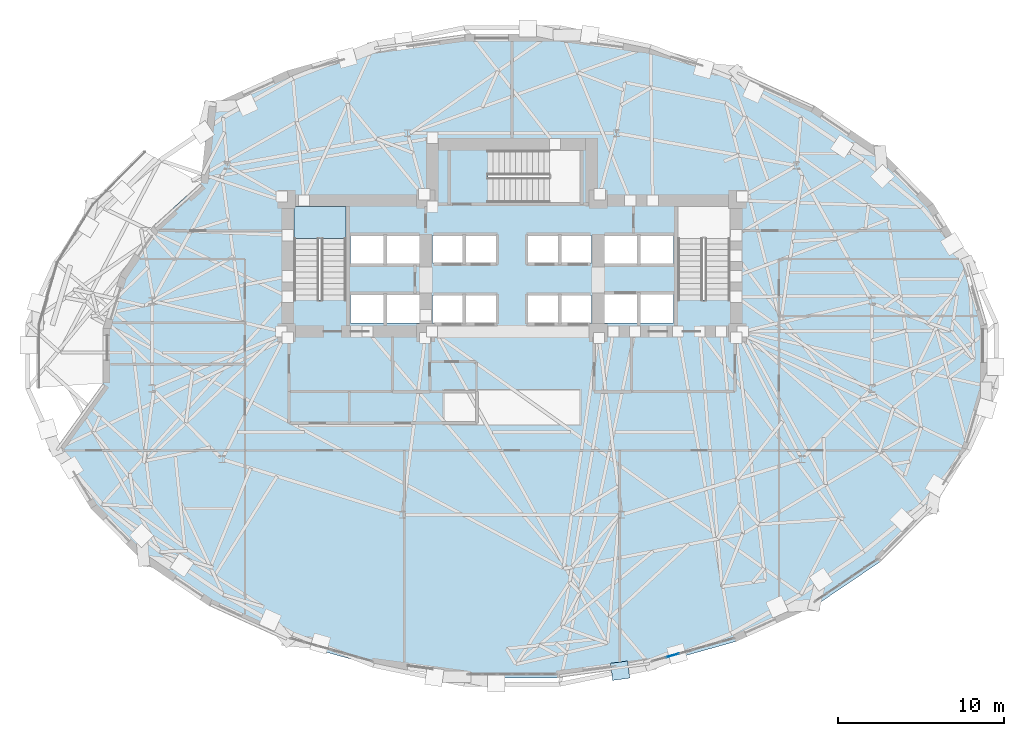
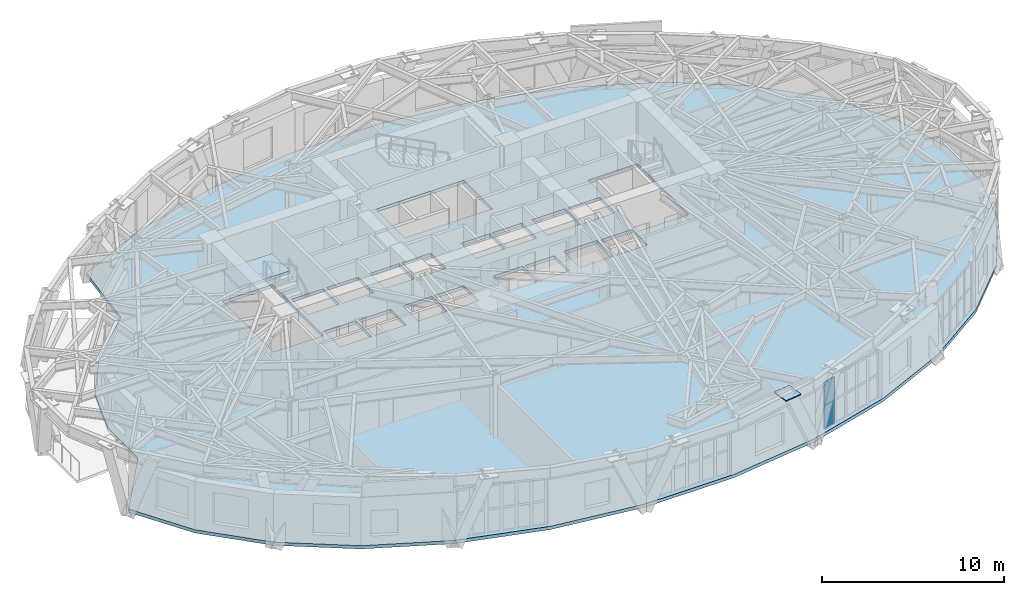
# One storey, part 10 of 20: 3 plates, 2 slabs, 2 elements without a shape of their own.
"""IFC4 building model written with IfcOpenShell, lengths in metres."""

from ifc_helpers import new_model, si_unit, direction, frame, origin, origin_2d, place, context, subcontext, project, spatial, polyline, rectangle, outline, extrude, material, layer, layer_set, type_object, element, aggregate, save


model = new_model("IFC4")

# Units and contexts
model_context = context("Model", 3, precision=1e-05, world=origin(), true_north=direction((0.0, 1.0)))
body_context = subcontext(model_context, "Body", "Model", "MODEL_VIEW")
ifc_project = project(units=[si_unit("LENGTHUNIT", "METRE"), si_unit("AREAUNIT", "SQUARE_METRE"), si_unit("VOLUMEUNIT", "CUBIC_METRE"), si_unit("PLANEANGLEUNIT", "RADIAN"), si_unit("MASSUNIT", "GRAM", prefix="KILO")], contexts=[model_context])

# Site, building, storey
site_placement = place(None, origin())
site = spatial("IfcSite", under=ifc_project, at=site_placement, CompositionType="ELEMENT")
building_placement = place(site_placement, origin())
building = spatial("IfcBuilding", under=site, at=building_placement, Name="Keldmark Tower", CompositionType="ELEMENT")
storey_placement = place(building_placement, frame((0.0, 0.0, 81.89990234375)))
storey = spatial("IfcBuildingStorey", under=building, at=storey_placement, Name="L21", CompositionType="ELEMENT", Elevation=81.89990234375)

# Plate
ifc_material_1 = material(Name="Steel ASTM A572 Grade 50", Category="steel")
ifc_layer_1 = layer(ifc_material_1, 0.06494140625)
ifc_layer_set_1 = layer_set([ifc_layer_1], Name="Steel ASTM A572 Grade 50")
plate_type_1 = type_object("IfcPlateType", Name="Diagrid Node Assembly DN02 65 mm", PredefinedType="USERDEFINED", material=ifc_layer_set_1)
plate_1_placement = place(storey_placement, frame((6.520751953125, -18.980224609375, 3.857666015625), z_axis=(0.0, 0.0, 1.0), x_axis=(0.991053218872, 0.133467289485, 0.0)))
element("IfcPlate", 1, at=plate_1_placement, inside=storey, type_object=plate_type_1, Name="L21 Diagrid Node Assembly 25", ObjectType="GUSSET", PredefinedType="USERDEFINED", context=body_context, shape_type="SweptSolid", body=[
    extrude(rectangle(XDim=1.0400390625, YDim=1.0400390625, at=origin_2d()), origin(), (0.0, 0.0, 1.0), 0.06494140625),
])

# Stair, slab
ifc_material_2 = material(Name="Concrete C40/50", Category="concrete")
stair_type = type_object("IfcStairType", Name="Precast Concrete Core Exit Stair", PredefinedType="HALF_TURN_STAIR", material=ifc_material_2)
stair_placement = place(storey_placement, origin())
stair = element("IfcStair", 2, at=stair_placement, inside=storey, type_object=stair_type, Name="L21 Exit Stair ST1", PredefinedType="HALF_TURN_STAIR")
ifc_material_3 = material(Name="Concrete C40/50", Category="concrete")
ifc_layer_2 = layer(ifc_material_3, 0.199951171875)
ifc_layer_set_2 = layer_set([ifc_layer_2], Name="Concrete C40/50")
slab_type_1 = type_object("IfcSlabType", Name="Reinforced Concrete Stair Landing 200 mm", PredefinedType="LANDING", material=ifc_layer_set_2)
slab_1_placement = place(storey_placement, frame((0.0, 0.0, 1.900146484375)))
slab_1 = element("IfcSlab", 3, at=slab_1_placement, type_object=slab_type_1, Name="ST1 landing 1", PredefinedType="LANDING", context=body_context, shape_type="SweptSolid", body=[
    extrude(outline(polyline([(-10.0, 7.070068359375), (-10.0, 9.0), (-13.14990234375, 9.0), (-13.14990234375, 7.070068359375), (-10.0, 7.070068359375)])), origin(), (0.0, 0.0, 1.0), 0.199951171875),
])
aggregate(stair, [slab_1])

# Slab
ifc_material_4 = material(Name="Concrete C35/45", Category="concrete")
ifc_layer_3 = layer(ifc_material_4, 0.219970703125)
ifc_layer_set_3 = layer_set([ifc_layer_3], Name="Concrete C35/45")
slab_type_2 = type_object("IfcSlabType", Name="Sky Lobby Floor Slab 220 mm", PredefinedType="FLOOR", material=ifc_layer_set_3)
slab_2_placement = place(storey_placement, frame((0.0, 0.0, -0.219970703125)))
element("IfcSlab", 4, at=slab_2_placement, inside=storey, type_object=slab_type_2, Name="L21 Composite Structural Floor Slab", PredefinedType="FLOOR", context=body_context, shape_type="SweptSolid", body=[
    extrude(outline(polyline([(28.661376953125, 1.911376953125), (27.559814453125, 5.66064453125), (25.3994140625, 9.192138671875), (22.2626953125, 12.37060546875), (18.2705078125, 15.07373046875), (13.576171875, 17.197509765625), (8.360107421875, 18.660400390625), (2.822998046875, 19.406005859375), (-2.822998046875, 19.406005859375), (-8.360107421875, 18.660400390625), (-13.576171875, 17.197509765625), (-18.2705078125, 15.07373046875), (-18.76611328125, 10.427734375), (-21.637939453125, 7.8310546875), (-23.6416015625, 4.855712890625), (-24.670166015625, 1.64501953125), (-24.670166015625, -1.64501953125), (-27.559814453125, -5.66064453125), (-25.3994140625, -9.192138671875), (-22.2626953125, -12.37060546875), (-18.2705078125, -15.07373046875), (-13.576171875, -17.197509765625), (-8.360107421875, -18.660400390625), (-2.822998046875, -19.406005859375), (2.822998046875, -19.406005859375), (8.360107421875, -18.660400390625), (13.576171875, -17.197509765625), (18.2705078125, -15.07373046875), (22.2626953125, -12.37060546875), (25.3994140625, -9.192138671875), (27.559814453125, -5.66064453125), (28.661376953125, -1.911376953125), (28.661376953125, 1.911376953125)]), holes=[polyline([(-10.0, 3.385009765625), (-10.0, 9.0), (-13.14990234375, 9.0), (-13.14990234375, 3.385009765625), (-10.0, 3.385009765625)]), polyline([(13.14990234375, 3.385009765625), (13.14990234375, 9.0), (10.0, 9.0), (10.0, 3.385009765625), (13.14990234375, 3.385009765625)]), polyline([(-1.43994140625, 9.25), (4.10498046875, 9.25), (4.10498046875, 12.39990234375), (-1.43994140625, 12.39990234375), (-1.43994140625, 9.25)]), polyline([(-9.75, 2.0), (-7.75, 2.0), (-7.75, 3.699951171875), (-9.75, 3.699951171875), (-9.75, 2.0)]), polyline([(7.75, 2.0), (9.75, 2.0), (9.75, 3.699951171875), (7.75, 3.699951171875), (7.75, 2.0)]), polyline([(5.449951171875, 2.0), (7.550048828125, 2.0), (7.550048828125, 3.75), (5.449951171875, 3.75), (5.449951171875, 2.0)]), polyline([(-4.800048828125, 2.0), (-2.949951171875, 2.0), (-2.949951171875, 3.64990234375), (-4.800048828125, 3.64990234375), (-4.800048828125, 2.0)]), polyline([(-2.800048828125, 2.0), (-0.949951171875, 2.0), (-0.949951171875, 3.64990234375), (-2.800048828125, 3.64990234375), (-2.800048828125, 2.0)]), polyline([(0.949951171875, 2.0), (2.800048828125, 2.0), (2.800048828125, 3.64990234375), (0.949951171875, 3.64990234375), (0.949951171875, 2.0)]), polyline([(2.949951171875, 2.0), (4.800048828125, 2.0), (4.800048828125, 3.64990234375), (2.949951171875, 3.64990234375), (2.949951171875, 2.0)]), polyline([(-4.800048828125, 5.60009765625), (-2.949951171875, 5.60009765625), (-2.949951171875, 7.25), (-4.800048828125, 7.25), (-4.800048828125, 5.60009765625)]), polyline([(-2.800048828125, 5.60009765625), (-0.949951171875, 5.60009765625), (-0.949951171875, 7.25), (-2.800048828125, 7.25), (-2.800048828125, 5.60009765625)]), polyline([(0.949951171875, 5.60009765625), (2.800048828125, 5.60009765625), (2.800048828125, 7.25), (0.949951171875, 7.25), (0.949951171875, 5.60009765625)]), polyline([(2.949951171875, 5.60009765625), (4.800048828125, 5.60009765625), (4.800048828125, 7.25), (2.949951171875, 7.25), (2.949951171875, 5.60009765625)]), polyline([(-9.75, 5.550048828125), (-7.75, 5.550048828125), (-7.75, 7.25), (-9.75, 7.25), (-9.75, 5.550048828125)]), polyline([(-7.550048828125, 5.550048828125), (-5.550048828125, 5.550048828125), (-5.550048828125, 7.25), (-7.550048828125, 7.25), (-7.550048828125, 5.550048828125)]), polyline([(-7.550048828125, 2.0), (-5.550048828125, 2.0), (-5.550048828125, 3.699951171875), (-7.550048828125, 3.699951171875), (-7.550048828125, 2.0)]), polyline([(5.449951171875, 5.550048828125), (7.550048828125, 5.550048828125), (7.550048828125, 7.25), (5.449951171875, 7.25), (5.449951171875, 5.550048828125)]), polyline([(7.75, 5.550048828125), (9.75, 5.550048828125), (9.75, 7.25), (7.75, 7.25), (7.75, 5.550048828125)])]), origin(), (0.0, 0.0, 1.0), 0.219970703125),
])

# Curtain wall, plates
ifc_material_5 = material(Name="Unitized Thermally Broken Aluminum and Triple Low-E Glazing", Category="aluminium")
ifc_layer_4 = layer(ifc_material_5, 0.219970703125)
ifc_layer_set_4 = layer_set([ifc_layer_4], Name="Unitized Thermally Broken Aluminum and Triple Low-E Glazing")
curtain_wall_type = type_object("IfcCurtainWallType", Name="Sky Lobby Amenity Curtain Wall System", PredefinedType="NOTDEFINED", material=ifc_layer_set_4)
curtain_wall_placement = place(storey_placement, origin())
curtain_wall = element("IfcCurtainWall", 5, at=curtain_wall_placement, inside=storey, type_object=curtain_wall_type, Name="L21 Sky Lobby Amenity Curtain Wall System CW-L21-26", PredefinedType="NOTDEFINED")
ifc_material_6 = material(Name="Triple Silver Low-E Insulated Glass Unit", Category="glass")
ifc_layer_5 = layer(ifc_material_6, 0.035888671875)
ifc_layer_set_5 = layer_set([ifc_layer_5], Name="Triple Silver Low-E Insulated Glass Unit")
plate_type_2 = type_object("IfcPlateType", Name="Triple Low-E Vision Glazing Panel 36 mm", PredefinedType="CURTAIN_PANEL", material=ifc_layer_set_5)
plate_2_placement = place(storey_placement, frame((9.672119140625, -18.06396484375, 0.06005859375), z_axis=(0.0, 0.0, 1.0), x_axis=(-0.962852341481, -0.270028458695, 0.0)))
plate_2 = element("IfcPlate", 6, at=plate_2_placement, type_object=plate_type_2, Name="CW panel 5.1", PredefinedType="CURTAIN_PANEL", context=body_context, shape_type="SweptSolid", body=[
    extrude(rectangle(XDim=0.796142578125, YDim=0.035888671875, at=origin_2d()), origin(), (0.0, 0.0, 1.0), 1.52392578125),
])
plate_3_placement = place(storey_placement, frame((9.672119140625, -18.06396484375, 1.64404296875), z_axis=(0.0, 0.0, 1.0), x_axis=(-0.962852341481, -0.270028458695, 0.0)))
plate_3 = element("IfcPlate", 7, at=plate_3_placement, type_object=plate_type_2, Name="CW panel 5.2", PredefinedType="CURTAIN_PANEL", context=body_context, shape_type="SweptSolid", body=[
    extrude(rectangle(XDim=0.796142578125, YDim=0.035888671875, at=origin_2d()), origin(), (0.0, 0.0, 1.0), 1.52392578125),
])
aggregate(curtain_wall, [plate_2, plate_3])

save(model, "model.ifc")
